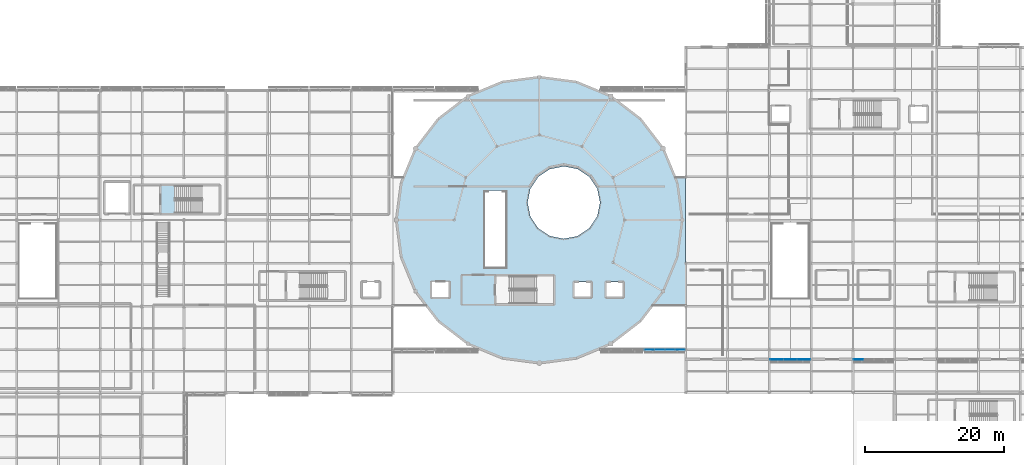
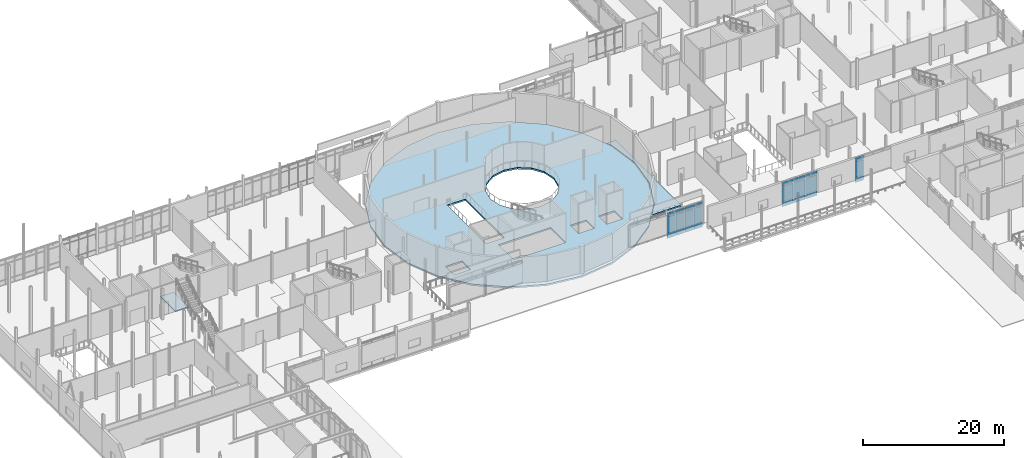
# One storey, part 58 of 105: 24 plates, 3 slabs, 3 elements without a shape of their own.
"""IFC4 building model written with IfcOpenShell, lengths in metres."""

from ifc_helpers import new_model, si_unit, direction, frame, origin, origin_2d, place, context, subcontext, project, spatial, polyline, rectangle, outline, extrude, material, layer, layer_set, type_object, element, aggregate, save


model = new_model("IFC4")

# Units and contexts
model_context = context("Model", 3, precision=1e-05, world=origin(), true_north=direction((0.0, 1.0)))
body_context = subcontext(model_context, "Body", "Model", "MODEL_VIEW")
ifc_project = project(units=[si_unit("LENGTHUNIT", "METRE"), si_unit("AREAUNIT", "SQUARE_METRE"), si_unit("VOLUMEUNIT", "CUBIC_METRE"), si_unit("PLANEANGLEUNIT", "RADIAN"), si_unit("MASSUNIT", "GRAM", prefix="KILO")], contexts=[model_context])

# Site, building, storey
site_placement = place(None, origin())
site = spatial("IfcSite", under=ifc_project, at=site_placement, CompositionType="ELEMENT")
building_placement = place(site_placement, origin())
building = spatial("IfcBuilding", under=site, at=building_placement, Name="Mirzam Square Science Centre", CompositionType="ELEMENT")
storey_placement = place(building_placement, frame((0.0, 0.0, 5.39990234375)))
storey = spatial("IfcBuildingStorey", under=building, at=storey_placement, Name="L01", CompositionType="ELEMENT", Elevation=5.39990234375)

# Curtain wall, plates
ifc_material_1 = material(Name="Anodised Aluminium and Low-E Solar Glass", Category="aluminium")
ifc_layer_1 = layer(ifc_material_1, 0.239990234375)
ifc_layer_set_1 = layer_set([ifc_layer_1], Name="CW-EAST-B")
curtain_wall_type_1 = type_object("IfcCurtainWallType", Name="CW-EAST-B", PredefinedType="USERDEFINED", material=ifc_layer_set_1)
curtain_wall_1_placement = place(storey_placement, origin())
curtain_wall_1 = element("IfcCurtainWall", 1, at=curtain_wall_1_placement, inside=storey, type_object=curtain_wall_type_1, Name="L01 unitised curtain wall 81", ObjectType="UNITISED CURTAIN WALL", PredefinedType="USERDEFINED")
ifc_material_2 = material(Name="Double-Silver Low-E Insulated Solar Glass", Category="glass")
ifc_layer_2 = layer(ifc_material_2, 0.028076171875)
ifc_layer_set_2 = layer_set([ifc_layer_2], Name="CWP-GLZ-28")
plate_type_1 = type_object("IfcPlateType", Name="CWP-GLZ-28", PredefinedType="CURTAIN_PANEL", material=ifc_layer_set_2)
plate_1_placement = place(storey_placement, frame((115.055419921875, 42.0, 0.074951171875), z_axis=(0.0, 0.0, 1.0), x_axis=(1.0, 0.0, 0.0)))
plate_1 = element("IfcPlate", 2, at=plate_1_placement, type_object=plate_type_1, Name="CW-06 panel 1.1", PredefinedType="CURTAIN_PANEL", context=body_context, shape_type="SweptSolid", body=[
    extrude(rectangle(XDim=1.850830078125, YDim=0.028076171875, at=origin_2d()), origin(), (0.0, 0.0, 1.0), 0.78759765625),
])
plate_2_placement = place(storey_placement, frame((115.055419921875, 42.0, 0.9375), z_axis=(0.0, 0.0, 1.0), x_axis=(1.0, 0.0, 0.0)))
plate_2 = element("IfcPlate", 3, at=plate_2_placement, type_object=plate_type_1, Name="CW-06 panel 1.2", PredefinedType="CURTAIN_PANEL", context=body_context, shape_type="SweptSolid", body=[
    extrude(rectangle(XDim=1.850830078125, YDim=0.028076171875, at=origin_2d()), origin(), (0.0, 0.0, 1.0), 2.6650390625),
])
plate_3_placement = place(storey_placement, frame((115.055419921875, 42.0, 3.677490234375), z_axis=(0.0, 0.0, 1.0), x_axis=(1.0, 0.0, 0.0)))
plate_3 = element("IfcPlate", 4, at=plate_3_placement, type_object=plate_type_1, Name="CW-06 panel 1.3", PredefinedType="CURTAIN_PANEL", context=body_context, shape_type="SweptSolid", body=[
    extrude(rectangle(XDim=1.850830078125, YDim=0.028076171875, at=origin_2d()), origin(), (0.0, 0.0, 1.0), 0.6875),
])
plate_4_placement = place(storey_placement, frame((117.0, 42.0, 0.074951171875), z_axis=(0.0, 0.0, 1.0), x_axis=(1.0, 0.0, 0.0)))
plate_4 = element("IfcPlate", 5, at=plate_4_placement, type_object=plate_type_1, Name="CW-06 panel 2.1", PredefinedType="CURTAIN_PANEL", context=body_context, shape_type="SweptSolid", body=[
    extrude(rectangle(XDim=1.888427734375, YDim=0.028076171875, at=origin_2d()), origin(), (0.0, 0.0, 1.0), 0.78759765625),
])
plate_5_placement = place(storey_placement, frame((117.0, 42.0, 0.9375), z_axis=(0.0, 0.0, 1.0), x_axis=(1.0, 0.0, 0.0)))
plate_5 = element("IfcPlate", 6, at=plate_5_placement, type_object=plate_type_1, Name="CW-06 panel 2.2", PredefinedType="CURTAIN_PANEL", context=body_context, shape_type="SweptSolid", body=[
    extrude(rectangle(XDim=1.888427734375, YDim=0.028076171875, at=origin_2d()), origin(), (0.0, 0.0, 1.0), 2.6650390625),
])
plate_6_placement = place(storey_placement, frame((117.0, 42.0, 3.677490234375), z_axis=(0.0, 0.0, 1.0), x_axis=(1.0, 0.0, 0.0)))
plate_6 = element("IfcPlate", 7, at=plate_6_placement, type_object=plate_type_1, Name="CW-06 panel 2.3", PredefinedType="CURTAIN_PANEL", context=body_context, shape_type="SweptSolid", body=[
    extrude(rectangle(XDim=1.888427734375, YDim=0.028076171875, at=origin_2d()), origin(), (0.0, 0.0, 1.0), 0.6875),
])
plate_7_placement = place(storey_placement, frame((118.944580078125, 42.0, 0.074951171875), z_axis=(0.0, 0.0, 1.0), x_axis=(1.0, 0.0, 0.0)))
plate_7 = element("IfcPlate", 8, at=plate_7_placement, type_object=plate_type_1, Name="CW-06 panel 3.1", PredefinedType="CURTAIN_PANEL", context=body_context, shape_type="SweptSolid", body=[
    extrude(rectangle(XDim=1.850830078125, YDim=0.028076171875, at=origin_2d()), origin(), (0.0, 0.0, 1.0), 0.78759765625),
])
plate_8_placement = place(storey_placement, frame((118.944580078125, 42.0, 0.9375), z_axis=(0.0, 0.0, 1.0), x_axis=(1.0, 0.0, 0.0)))
plate_8 = element("IfcPlate", 9, at=plate_8_placement, type_object=plate_type_1, Name="CW-06 panel 3.2", PredefinedType="CURTAIN_PANEL", context=body_context, shape_type="SweptSolid", body=[
    extrude(rectangle(XDim=1.850830078125, YDim=0.028076171875, at=origin_2d()), origin(), (0.0, 0.0, 1.0), 2.6650390625),
])
plate_9_placement = place(storey_placement, frame((118.944580078125, 42.0, 3.677490234375), z_axis=(0.0, 0.0, 1.0), x_axis=(1.0, 0.0, 0.0)))
plate_9 = element("IfcPlate", 10, at=plate_9_placement, type_object=plate_type_1, Name="CW-06 panel 3.3", PredefinedType="CURTAIN_PANEL", context=body_context, shape_type="SweptSolid", body=[
    extrude(rectangle(XDim=1.850830078125, YDim=0.028076171875, at=origin_2d()), origin(), (0.0, 0.0, 1.0), 0.6875),
])
aggregate(curtain_wall_1, [plate_1, plate_2, plate_3, plate_4, plate_5, plate_6, plate_7, plate_8, plate_9])

ifc_layer_3 = layer(ifc_material_1, 0.179931640625)
ifc_layer_set_3 = layer_set([ifc_layer_3], Name="CW-LINK-A")
curtain_wall_type_2 = type_object("IfcCurtainWallType", Name="CW-LINK-A", PredefinedType="USERDEFINED", material=ifc_layer_set_3)
curtain_wall_2_placement = place(storey_placement, origin())
curtain_wall_2 = element("IfcCurtainWall", 11, at=curtain_wall_2_placement, inside=storey, type_object=curtain_wall_type_2, Name="L01 unitised curtain wall 82", ObjectType="UNITISED CURTAIN WALL", PredefinedType="USERDEFINED")
ifc_material_3 = material(Name="Laminated Low-Iron Observatory Solar Glass", Category="glass")
ifc_layer_4 = layer(ifc_material_3, 0.035888671875)
ifc_layer_set_4 = layer_set([ifc_layer_4], Name="CWP-GLZ-36")
plate_type_2 = type_object("IfcPlateType", Name="CWP-GLZ-36", PredefinedType="CURTAIN_PANEL", material=ifc_layer_set_4)
plate_10_placement = place(storey_placement, frame((126.8076171875, 42.0, 0.06494140625), z_axis=(0.0, 0.0, 1.0), x_axis=(1.0, 0.0, 0.0)))
plate_10 = element("IfcPlate", 12, at=plate_10_placement, type_object=plate_type_2, Name="CW-08 panel 1.1", PredefinedType="CURTAIN_PANEL", context=body_context, shape_type="SweptSolid", body=[
    extrude(rectangle(XDim=1.375, YDim=0.035888671875, at=origin_2d()), origin(), (0.0, 0.0, 1.0), 0.802490234375),
])
plate_11_placement = place(storey_placement, frame((126.8076171875, 42.0, 0.9326171875), z_axis=(0.0, 0.0, 1.0), x_axis=(1.0, 0.0, 0.0)))
plate_11 = element("IfcPlate", 13, at=plate_11_placement, type_object=plate_type_2, Name="CW-08 panel 1.2", PredefinedType="CURTAIN_PANEL", context=body_context, shape_type="SweptSolid", body=[
    extrude(rectangle(XDim=1.375, YDim=0.035888671875, at=origin_2d()), origin(), (0.0, 0.0, 1.0), 2.675048828125),
])
plate_12_placement = place(storey_placement, frame((126.8076171875, 42.0, 3.6728515625), z_axis=(0.0, 0.0, 1.0), x_axis=(1.0, 0.0, 0.0)))
plate_12 = element("IfcPlate", 14, at=plate_12_placement, type_object=plate_type_2, Name="CW-08 panel 1.3", PredefinedType="CURTAIN_PANEL", context=body_context, shape_type="SweptSolid", body=[
    extrude(rectangle(XDim=1.375, YDim=0.035888671875, at=origin_2d()), origin(), (0.0, 0.0, 1.0), 0.702392578125),
])
aggregate(curtain_wall_2, [plate_10, plate_11, plate_12])

ifc_layer_5 = layer(ifc_material_1, 0.159912109375)
ifc_layer_set_5 = layer_set([ifc_layer_5], Name="CW-COURT-B")
curtain_wall_type_3 = type_object("IfcCurtainWallType", Name="CW-COURT-B", PredefinedType="USERDEFINED", material=ifc_layer_set_5)
curtain_wall_3_placement = place(storey_placement, origin())
curtain_wall_3 = element("IfcCurtainWall", 15, at=curtain_wall_3_placement, inside=storey, type_object=curtain_wall_type_3, Name="L01 unitised curtain wall 57", ObjectType="UNITISED CURTAIN WALL", PredefinedType="USERDEFINED")
ifc_material_4 = material(Name="Acoustic Laminated Solar Spandrel Glass", Category="glass")
ifc_layer_6 = layer(ifc_material_4, 0.0400390625)
ifc_layer_set_6 = layer_set([ifc_layer_6], Name="CWP-GLZ-40")
plate_type_3 = type_object("IfcPlateType", Name="CWP-GLZ-40", PredefinedType="CURTAIN_PANEL", material=ifc_layer_set_6)
plate_13_placement = place(storey_placement, frame((96.8076171875, 43.39990234375, 0.06494140625), z_axis=(0.0, 0.0, 1.0), x_axis=(1.0, 0.0, 0.0)))
plate_13 = element("IfcPlate", 16, at=plate_13_placement, type_object=plate_type_3, Name="CW-04 panel 1.1", PredefinedType="CURTAIN_PANEL", context=body_context, shape_type="SweptSolid", body=[
    extrude(rectangle(XDim=1.375, YDim=0.0400390625, at=origin_2d()), origin(), (0.0, 0.0, 1.0), 0.802490234375),
])
plate_14_placement = place(storey_placement, frame((96.8076171875, 43.39990234375, 0.9326171875), z_axis=(0.0, 0.0, 1.0), x_axis=(1.0, 0.0, 0.0)))
plate_14 = element("IfcPlate", 17, at=plate_14_placement, type_object=plate_type_3, Name="CW-04 panel 1.2", PredefinedType="CURTAIN_PANEL", context=body_context, shape_type="SweptSolid", body=[
    extrude(rectangle(XDim=1.375, YDim=0.0400390625, at=origin_2d()), origin(), (0.0, 0.0, 1.0), 2.784912109375),
])
plate_15_placement = place(storey_placement, frame((96.8076171875, 43.39990234375, 3.78271484375), z_axis=(0.0, 0.0, 1.0), x_axis=(1.0, 0.0, 0.0)))
plate_15 = element("IfcPlate", 18, at=plate_15_placement, type_object=plate_type_3, Name="CW-04 panel 1.3", PredefinedType="CURTAIN_PANEL", context=body_context, shape_type="SweptSolid", body=[
    extrude(rectangle(XDim=1.375, YDim=0.0400390625, at=origin_2d()), origin(), (0.0, 0.0, 1.0), 0.702392578125),
])
plate_16_placement = place(storey_placement, frame((98.263671875, 43.39990234375, 0.06494140625), z_axis=(0.0, 0.0, 1.0), x_axis=(1.0, 0.0, 0.0)))
plate_16 = element("IfcPlate", 19, at=plate_16_placement, type_object=plate_type_3, Name="CW-04 panel 2.1", PredefinedType="CURTAIN_PANEL", context=body_context, shape_type="SweptSolid", body=[
    extrude(rectangle(XDim=1.407470703125, YDim=0.0400390625, at=origin_2d()), origin(), (0.0, 0.0, 1.0), 0.802490234375),
])
plate_17_placement = place(storey_placement, frame((98.263671875, 43.39990234375, 0.9326171875), z_axis=(0.0, 0.0, 1.0), x_axis=(1.0, 0.0, 0.0)))
plate_17 = element("IfcPlate", 20, at=plate_17_placement, type_object=plate_type_3, Name="CW-04 panel 2.2", PredefinedType="CURTAIN_PANEL", context=body_context, shape_type="SweptSolid", body=[
    extrude(rectangle(XDim=1.407470703125, YDim=0.0400390625, at=origin_2d()), origin(), (0.0, 0.0, 1.0), 2.784912109375),
])
plate_18_placement = place(storey_placement, frame((98.263671875, 43.39990234375, 3.78271484375), z_axis=(0.0, 0.0, 1.0), x_axis=(1.0, 0.0, 0.0)))
plate_18 = element("IfcPlate", 21, at=plate_18_placement, type_object=plate_type_3, Name="CW-04 panel 2.3", PredefinedType="CURTAIN_PANEL", context=body_context, shape_type="SweptSolid", body=[
    extrude(rectangle(XDim=1.407470703125, YDim=0.0400390625, at=origin_2d()), origin(), (0.0, 0.0, 1.0), 0.702392578125),
])
plate_19_placement = place(storey_placement, frame((99.736328125, 43.39990234375, 0.06494140625), z_axis=(0.0, 0.0, 1.0), x_axis=(1.0, 0.0, 0.0)))
plate_19 = element("IfcPlate", 22, at=plate_19_placement, type_object=plate_type_3, Name="CW-04 panel 3.1", PredefinedType="CURTAIN_PANEL", context=body_context, shape_type="SweptSolid", body=[
    extrude(rectangle(XDim=1.407470703125, YDim=0.0400390625, at=origin_2d()), origin(), (0.0, 0.0, 1.0), 0.802490234375),
])
plate_20_placement = place(storey_placement, frame((99.736328125, 43.39990234375, 0.9326171875), z_axis=(0.0, 0.0, 1.0), x_axis=(1.0, 0.0, 0.0)))
plate_20 = element("IfcPlate", 23, at=plate_20_placement, type_object=plate_type_3, Name="CW-04 panel 3.2", PredefinedType="CURTAIN_PANEL", context=body_context, shape_type="SweptSolid", body=[
    extrude(rectangle(XDim=1.407470703125, YDim=0.0400390625, at=origin_2d()), origin(), (0.0, 0.0, 1.0), 2.784912109375),
])
plate_21_placement = place(storey_placement, frame((99.736328125, 43.39990234375, 3.78271484375), z_axis=(0.0, 0.0, 1.0), x_axis=(1.0, 0.0, 0.0)))
plate_21 = element("IfcPlate", 24, at=plate_21_placement, type_object=plate_type_3, Name="CW-04 panel 3.3", PredefinedType="CURTAIN_PANEL", context=body_context, shape_type="SweptSolid", body=[
    extrude(rectangle(XDim=1.407470703125, YDim=0.0400390625, at=origin_2d()), origin(), (0.0, 0.0, 1.0), 0.702392578125),
])
plate_22_placement = place(storey_placement, frame((101.1923828125, 43.39990234375, 0.06494140625), z_axis=(0.0, 0.0, 1.0), x_axis=(1.0, 0.0, 0.0)))
plate_22 = element("IfcPlate", 25, at=plate_22_placement, type_object=plate_type_3, Name="CW-04 panel 4.1", PredefinedType="CURTAIN_PANEL", context=body_context, shape_type="SweptSolid", body=[
    extrude(rectangle(XDim=1.375, YDim=0.0400390625, at=origin_2d()), origin(), (0.0, 0.0, 1.0), 0.802490234375),
])
plate_23_placement = place(storey_placement, frame((101.1923828125, 43.39990234375, 0.9326171875), z_axis=(0.0, 0.0, 1.0), x_axis=(1.0, 0.0, 0.0)))
plate_23 = element("IfcPlate", 26, at=plate_23_placement, type_object=plate_type_3, Name="CW-04 panel 4.2", PredefinedType="CURTAIN_PANEL", context=body_context, shape_type="SweptSolid", body=[
    extrude(rectangle(XDim=1.375, YDim=0.0400390625, at=origin_2d()), origin(), (0.0, 0.0, 1.0), 2.784912109375),
])
plate_24_placement = place(storey_placement, frame((101.1923828125, 43.39990234375, 3.78271484375), z_axis=(0.0, 0.0, 1.0), x_axis=(1.0, 0.0, 0.0)))
plate_24 = element("IfcPlate", 27, at=plate_24_placement, type_object=plate_type_3, Name="CW-04 panel 4.3", PredefinedType="CURTAIN_PANEL", context=body_context, shape_type="SweptSolid", body=[
    extrude(rectangle(XDim=1.375, YDim=0.0400390625, at=origin_2d()), origin(), (0.0, 0.0, 1.0), 0.702392578125),
])
aggregate(curtain_wall_3, [plate_13, plate_14, plate_15, plate_16, plate_17, plate_18, plate_19, plate_20, plate_21, plate_22, plate_23, plate_24])

# Slabs
ifc_material_5 = material(Name="Concrete C45/55", Category="concrete")
ifc_layer_7 = layer(ifc_material_5, 0.280029296875)
ifc_layer_set_7 = layer_set([ifc_layer_7], Name="SL-DRUM-280")
slab_type_1 = type_object("IfcSlabType", Name="SL-DRUM-280", PredefinedType="FLOOR", material=ifc_layer_set_7)
slab_1_placement = place(storey_placement, frame((0.0, 0.0, -0.27978515625)))
element("IfcSlab", 28, at=slab_1_placement, inside=storey, type_object=slab_type_1, Name="L01 drum slab", PredefinedType="FLOOR", context=body_context, shape_type="SweptSolid", body=[
    extrude(outline(polyline([(100.801513671875, 56.694091796875), (98.75341796875, 51.75), (95.49560546875, 47.50439453125), (91.25, 44.24658203125), (86.305908203125, 42.198486328125), (81.0, 41.5), (75.694091796875, 42.198486328125), (70.75, 44.24658203125), (66.50439453125, 47.50439453125), (63.24658203125, 51.75), (61.198486328125, 56.694091796875), (60.5, 62.0), (61.198486328125, 67.305908203125), (63.24658203125, 72.25), (66.50439453125, 76.49560546875), (70.75, 79.75341796875), (75.694091796875, 81.801513671875), (81.0, 82.5), (86.305908203125, 81.801513671875), (91.25, 79.75341796875), (95.49560546875, 76.49560546875), (98.75341796875, 72.25), (100.801513671875, 67.305908203125), (101.5, 62.0), (100.801513671875, 56.694091796875)]), holes=[polyline([(83.159912109375, 49.840087890625), (83.159912109375, 54.090087890625), (74.639892578125, 54.090087890625), (74.639892578125, 49.840087890625), (83.159912109375, 49.840087890625)]), polyline([(68.14990234375, 50.800048828125), (68.14990234375, 53.199951171875), (65.449951171875, 53.199951171875), (65.449951171875, 50.800048828125), (68.14990234375, 50.800048828125)]), polyline([(88.5, 50.85009765625), (88.5, 53.14990234375), (85.89990234375, 53.14990234375), (85.89990234375, 50.85009765625), (88.5, 50.85009765625)]), polyline([(76.199951171875, 55.199951171875), (76.199951171875, 66.25), (73.199951171875, 66.25), (73.199951171875, 55.199951171875), (76.199951171875, 55.199951171875)]), polyline([(84.5, 59.300048828125), (86.489990234375, 59.69580078125), (88.177001953125, 60.822998046875), (89.30419921875, 62.510009765625), (89.699951171875, 64.5), (89.30419921875, 66.489990234375), (88.177001953125, 68.177001953125), (86.489990234375, 69.30419921875), (84.5, 69.699951171875), (82.510009765625, 69.30419921875), (80.822998046875, 68.177001953125), (79.69580078125, 66.489990234375), (79.300048828125, 64.5), (79.69580078125, 62.510009765625), (80.822998046875, 60.822998046875), (82.510009765625, 59.69580078125), (84.5, 59.300048828125)]), polyline([(90.5, 50.85009765625), (93.10009765625, 50.85009765625), (93.10009765625, 53.14990234375), (90.5, 53.14990234375), (90.5, 50.85009765625)])]), origin(), (0.0, 0.0, 1.0), 0.27978515625),
])
ifc_material_6 = material(Name="Concrete C40/50", Category="concrete")
ifc_layer_8 = layer(ifc_material_6, 0.260009765625)
ifc_layer_set_8 = layer_set([ifc_layer_8], Name="SL-EXH-260")
slab_type_2 = type_object("IfcSlabType", Name="SL-EXH-260", PredefinedType="FLOOR", material=ifc_layer_set_8)
slab_2_placement = place(storey_placement, frame((0.0, 0.0, -0.260009765625)))
element("IfcSlab", 29, at=slab_2_placement, inside=storey, type_object=slab_type_2, Name="L01 drum link slab", PredefinedType="FLOOR", context=body_context, shape_type="SweptSolid", body=[
    extrude(outline(polyline([(97.1787109375, 49.60009765625), (98.805419921875, 51.719970703125), (100.859375, 56.6787109375), (101.56005859375, 62.0), (100.859375, 67.3212890625), (100.495361328125, 68.199951171875), (102.0, 68.199951171875), (102.0, 49.60009765625), (97.1787109375, 49.60009765625)])), origin(), (0.0, 0.0, 1.0), 0.260009765625),
])
ifc_layer_9 = layer(ifc_material_6, 0.199951171875)
ifc_layer_set_9 = layer_set([ifc_layer_9], Name="SL-LANDING-200")
slab_type_3 = type_object("IfcSlabType", Name="SL-LANDING-200", PredefinedType="LANDING", material=ifc_layer_set_9)
slab_3_placement = place(storey_placement, frame((0.0, 0.0, -0.199951171875)))
element("IfcSlab", 30, at=slab_3_placement, inside=storey, type_object=slab_type_3, Name="L01 CORE-2 floor landing", PredefinedType="LANDING", context=body_context, shape_type="SweptSolid", body=[
    extrude(outline(polyline([(28.820068359375, 62.844970703125), (26.64501953125, 62.844970703125), (26.64501953125, 67.044921875), (28.820068359375, 67.044921875), (28.820068359375, 62.844970703125)])), origin(), (0.0, 0.0, 1.0), 0.199951171875),
])

save(model, "model.ifc")
